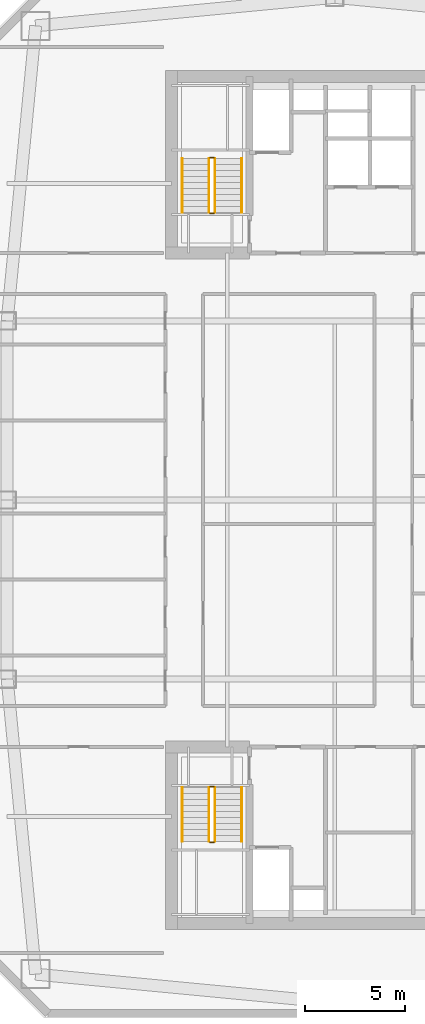
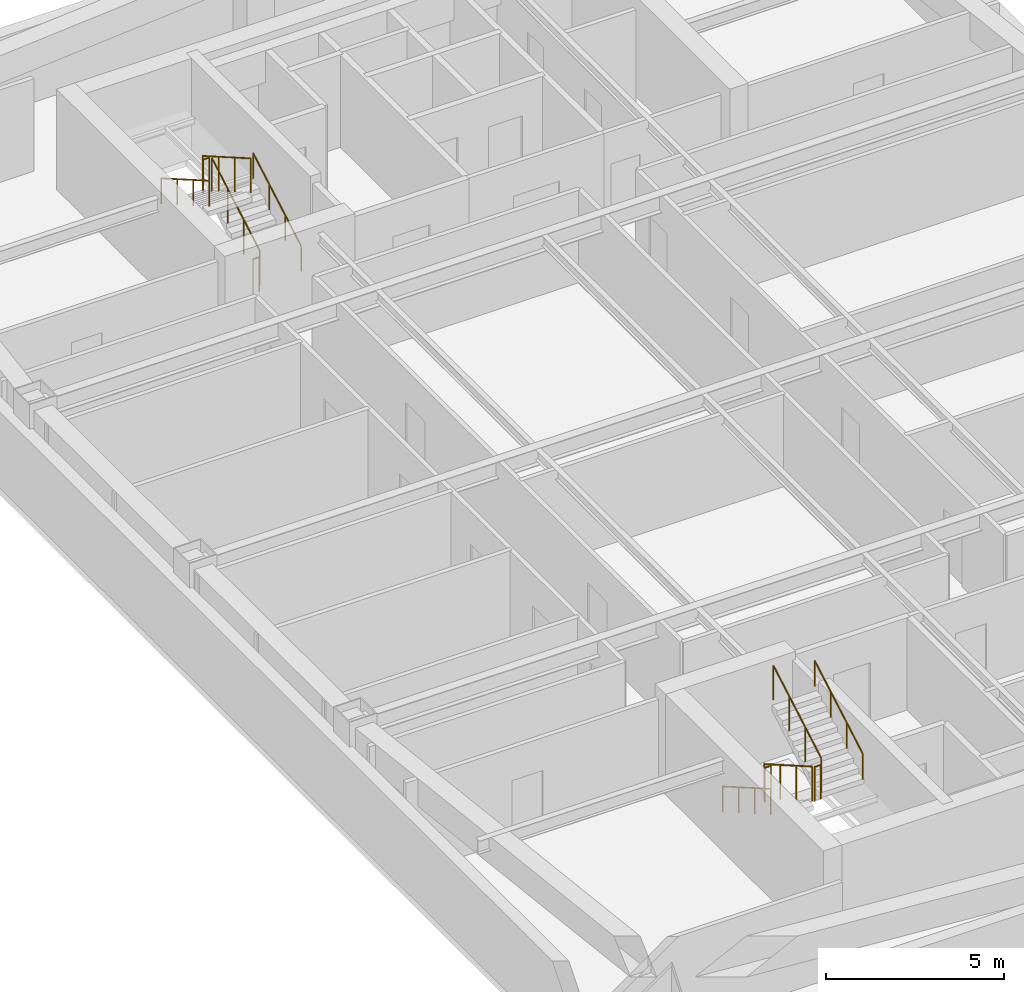
# One storey, part 12 of 13: 12 railings.
"""IFC4 building model written with IfcOpenShell, lengths in metres."""

from ifc_helpers import new_model, si_unit, direction, frame, origin, origin_2d, place, context, subcontext, project, spatial, circle, extrude, material, type_object, element, save


model = new_model("IFC4")

# Units and contexts
model_context = context("Model", 3, precision=1e-05, world=origin(), true_north=direction((0.0, 1.0)))
body_context = subcontext(model_context, "Body", "Model", "MODEL_VIEW")
ifc_project = project(units=[si_unit("LENGTHUNIT", "METRE"), si_unit("AREAUNIT", "SQUARE_METRE"), si_unit("VOLUMEUNIT", "CUBIC_METRE"), si_unit("PLANEANGLEUNIT", "RADIAN"), si_unit("MASSUNIT", "GRAM", prefix="KILO")], contexts=[model_context])

# Site, building, storey
site_placement = place(None, origin())
site = spatial("IfcSite", under=ifc_project, at=site_placement, CompositionType="ELEMENT")
building_placement = place(site_placement, origin())
building = spatial("IfcBuilding", under=site, at=building_placement, Name="Qiaolan Cultural Towers", CompositionType="ELEMENT")
storey_placement = place(building_placement, frame((0.0, 0.0, 170.199951171875)))
storey = spatial("IfcBuildingStorey", under=building, at=storey_placement, Name="L45", CompositionType="ELEMENT", Elevation=170.199951171875)

# Railings
ifc_material_1 = material(Name="Galvanized Painted Steel Stair Guardrail", Category="steel")
railing_type_1 = type_object("IfcRailingType", Name="RL-STAIR-GRD", PredefinedType="GUARDRAIL", material=ifc_material_1)
railing_1_placement = place(storey_placement, frame((23.68994140625, 19.550048828125, 0.172607421875)))
element("IfcRailing", 1, at=railing_1_placement, inside=storey, type_object=railing_type_1, Name="L45 ST-W1 stair guard 1", PredefinedType="GUARDRAIL", context=body_context, shape_type="SweptSolid", body=[
    extrude(circle(Radius=0.02392578125, at=origin_2d()), frame((0.0, 0.0, 1.17578125), z_axis=(0.0, -0.866903762492, 0.498475542607), x_axis=(1.0, 0.0, 0.0)), (0.0, 0.0, 1.0), 3.114501953125),
    extrude(circle(Radius=0.02099609375, at=origin_2d()), origin(), (0.0, 0.0, 1.0), 1.15185546875),
    extrude(circle(Radius=0.02099609375, at=origin_2d()), frame((0.0, -0.89990234375, 0.517578125)), (0.0, 0.0, 1.0), 1.15185546875),
    extrude(circle(Radius=0.02099609375, at=origin_2d()), frame((0.0, -1.800048828125, 1.034912109375)), (0.0, 0.0, 1.0), 1.15185546875),
    extrude(circle(Radius=0.02099609375, at=origin_2d()), frame((0.0, -2.699951171875, 1.552490234375)), (0.0, 0.0, 1.0), 1.15185546875),
])
railing_2_placement = place(storey_placement, frame((23.739990234375, 16.800048828125, 1.72509765625)))
element("IfcRailing", 2, at=railing_2_placement, inside=storey, type_object=railing_type_1, Name="L45 ST-W1 stair guard 2", PredefinedType="GUARDRAIL", context=body_context, shape_type="SweptSolid", body=[
    extrude(circle(Radius=0.02392578125, at=origin_2d()), frame((0.0, 0.0, 1.17578125), z_axis=(1.0, 0.0, 0.0), x_axis=(0.0, 1.0, 0.0)), (0.0, 0.0, 1.0), 0.199951171875),
    extrude(circle(Radius=0.02099609375, at=origin_2d()), origin(), (0.0, 0.0, 1.0), 1.15185546875),
    extrude(circle(Radius=0.02099609375, at=origin_2d()), frame((0.199951171875, 0.0, 0.0)), (0.0, 0.0, 1.0), 1.15185546875),
])
railing_3_placement = place(storey_placement, frame((23.989990234375, 16.85009765625, 1.8974609375)))
element("IfcRailing", 3, at=railing_3_placement, inside=storey, type_object=railing_type_1, Name="L45 ST-W1 stair guard 3", PredefinedType="GUARDRAIL", context=body_context, shape_type="SweptSolid", body=[
    extrude(circle(Radius=0.02392578125, at=origin_2d()), frame((0.0, 0.0, 1.17578125), z_axis=(0.0, 0.866903762492, 0.498475542607), x_axis=(-1.0, 0.0, 0.0)), (0.0, 0.0, 1.0), 3.114501953125),
    extrude(circle(Radius=0.02099609375, at=origin_2d()), origin(), (0.0, 0.0, 1.0), 1.15185546875),
    extrude(circle(Radius=0.02099609375, at=origin_2d()), frame((0.0, 0.89990234375, 0.517578125)), (0.0, 0.0, 1.0), 1.15185546875),
    extrude(circle(Radius=0.02099609375, at=origin_2d()), frame((0.0, 1.800048828125, 1.034912109375)), (0.0, 0.0, 1.0), 1.15185546875),
    extrude(circle(Radius=0.02099609375, at=origin_2d()), frame((0.0, 2.699951171875, 1.552490234375)), (0.0, 0.0, 1.0), 1.15185546875),
])
railing_4_placement = place(storey_placement, frame((23.739990234375, 19.60009765625, 0.0)))
element("IfcRailing", 4, at=railing_4_placement, inside=storey, type_object=railing_type_1, Name="L45 ST-W1 stair guard 4", PredefinedType="GUARDRAIL", context=body_context, shape_type="SweptSolid", body=[
    extrude(circle(Radius=0.02392578125, at=origin_2d()), frame((0.0, 0.0, 1.17578125), z_axis=(1.0, 0.0, 0.0), x_axis=(0.0, 1.0, 0.0)), (0.0, 0.0, 1.0), 0.199951171875),
    extrude(circle(Radius=0.02099609375, at=origin_2d()), origin(), (0.0, 0.0, 1.0), 1.15185546875),
    extrude(circle(Radius=0.02099609375, at=origin_2d()), frame((0.199951171875, 0.0, 0.0)), (0.0, 0.0, 1.0), 1.15185546875),
])
railing_5_placement = place(storey_placement, frame((23.989990234375, 48.449951171875, 0.172607421875)))
element("IfcRailing", 5, at=railing_5_placement, inside=storey, type_object=railing_type_1, Name="L45 ST-W2 stair guard 1", PredefinedType="GUARDRAIL", context=body_context, shape_type="SweptSolid", body=[
    extrude(circle(Radius=0.02392578125, at=origin_2d()), frame((0.0, 0.0, 1.17578125), z_axis=(0.0, 0.866903762492, 0.498475542607), x_axis=(-1.0, 0.0, 0.0)), (0.0, 0.0, 1.0), 3.114501953125),
    extrude(circle(Radius=0.02099609375, at=origin_2d()), origin(), (0.0, 0.0, 1.0), 1.15185546875),
    extrude(circle(Radius=0.02099609375, at=origin_2d()), frame((0.0, 0.89990234375, 0.517578125)), (0.0, 0.0, 1.0), 1.15185546875),
    extrude(circle(Radius=0.02099609375, at=origin_2d()), frame((0.0, 1.800048828125, 1.034912109375)), (0.0, 0.0, 1.0), 1.15185546875),
    extrude(circle(Radius=0.02099609375, at=origin_2d()), frame((0.0, 2.699951171875, 1.552490234375)), (0.0, 0.0, 1.0), 1.15185546875),
])
railing_6_placement = place(storey_placement, frame((23.93994140625, 51.199951171875, 1.72509765625)))
element("IfcRailing", 6, at=railing_6_placement, inside=storey, type_object=railing_type_1, Name="L45 ST-W2 stair guard 2", PredefinedType="GUARDRAIL", context=body_context, shape_type="SweptSolid", body=[
    extrude(circle(Radius=0.02392578125, at=origin_2d()), frame((0.0, 0.0, 1.17578125), z_axis=(-1.0, 0.0, 0.0), x_axis=(0.0, -1.0, 0.0)), (0.0, 0.0, 1.0), 0.199951171875),
    extrude(circle(Radius=0.02099609375, at=origin_2d()), origin(), (0.0, 0.0, 1.0), 1.15185546875),
    extrude(circle(Radius=0.02099609375, at=origin_2d()), frame((-0.199951171875, 0.0, 0.0)), (0.0, 0.0, 1.0), 1.15185546875),
])
railing_7_placement = place(storey_placement, frame((23.68994140625, 51.14990234375, 1.8974609375)))
element("IfcRailing", 7, at=railing_7_placement, inside=storey, type_object=railing_type_1, Name="L45 ST-W2 stair guard 3", PredefinedType="GUARDRAIL", context=body_context, shape_type="SweptSolid", body=[
    extrude(circle(Radius=0.02392578125, at=origin_2d()), frame((0.0, 0.0, 1.17578125), z_axis=(0.0, -0.866903762492, 0.498475542607), x_axis=(1.0, 0.0, 0.0)), (0.0, 0.0, 1.0), 3.114501953125),
    extrude(circle(Radius=0.02099609375, at=origin_2d()), origin(), (0.0, 0.0, 1.0), 1.15185546875),
    extrude(circle(Radius=0.02099609375, at=origin_2d()), frame((0.0, -0.89990234375, 0.517578125)), (0.0, 0.0, 1.0), 1.15185546875),
    extrude(circle(Radius=0.02099609375, at=origin_2d()), frame((0.0, -1.800048828125, 1.034912109375)), (0.0, 0.0, 1.0), 1.15185546875),
    extrude(circle(Radius=0.02099609375, at=origin_2d()), frame((0.0, -2.699951171875, 1.552490234375)), (0.0, 0.0, 1.0), 1.15185546875),
])
railing_8_placement = place(storey_placement, frame((23.93994140625, 48.39990234375, 0.0)))
element("IfcRailing", 8, at=railing_8_placement, inside=storey, type_object=railing_type_1, Name="L45 ST-W2 stair guard 4", PredefinedType="GUARDRAIL", context=body_context, shape_type="SweptSolid", body=[
    extrude(circle(Radius=0.02392578125, at=origin_2d()), frame((0.0, 0.0, 1.17578125), z_axis=(-1.0, 0.0, 0.0), x_axis=(0.0, -1.0, 0.0)), (0.0, 0.0, 1.0), 0.199951171875),
    extrude(circle(Radius=0.02099609375, at=origin_2d()), origin(), (0.0, 0.0, 1.0), 1.15185546875),
    extrude(circle(Radius=0.02099609375, at=origin_2d()), frame((-0.199951171875, 0.0, 0.0)), (0.0, 0.0, 1.0), 1.15185546875),
])
ifc_material_2 = material(Name="Stainless Steel S30408 Tubular Handrail", Category="steel")
railing_type_2 = type_object("IfcRailingType", Name="RL-STAIR-HR", PredefinedType="HANDRAIL", material=ifc_material_2)
railing_9_placement = place(storey_placement, frame((22.35009765625, 19.550048828125, 0.172607421875)))
element("IfcRailing", 9, at=railing_9_placement, inside=storey, type_object=railing_type_2, Name="L45 ST-W1 stair handrail 1", PredefinedType="HANDRAIL", context=body_context, shape_type="SweptSolid", body=[
    extrude(circle(Radius=0.02392578125, at=origin_2d()), frame((0.0, 0.0, 0.8759765625), z_axis=(0.0, -0.866903762492, 0.498475542607), x_axis=(1.0, 0.0, 0.0)), (0.0, 0.0, 1.0), 3.114501953125),
    extrude(circle(Radius=0.02099609375, at=origin_2d()), origin(), (0.0, 0.0, 1.0), 0.851806640625),
    extrude(circle(Radius=0.02099609375, at=origin_2d()), frame((0.0, -0.89990234375, 0.517578125)), (0.0, 0.0, 1.0), 0.851806640625),
    extrude(circle(Radius=0.02099609375, at=origin_2d()), frame((0.0, -1.800048828125, 1.034912109375)), (0.0, 0.0, 1.0), 0.851806640625),
    extrude(circle(Radius=0.02099609375, at=origin_2d()), frame((0.0, -2.699951171875, 1.552490234375)), (0.0, 0.0, 1.0), 0.851806640625),
])
for number, where, name in (
    (10, (25.330078125, 16.85009765625, 1.8974609375), "L45 ST-W1 stair handrail 2"),
    (11, (25.330078125, 48.449951171875, 0.172607421875), "L45 ST-W2 stair handrail 1"),
):
    element("IfcRailing", number, at=place(storey_placement, frame(where)), inside=storey, type_object=railing_type_2, Name=name, PredefinedType="HANDRAIL", context=body_context, shape_type="SweptSolid", body=[
        extrude(circle(Radius=0.02392578125, at=origin_2d()), frame((0.0, 0.0, 0.8759765625), z_axis=(0.0, 0.866903762492, 0.498475542607), x_axis=(-1.0, 0.0, 0.0)), (0.0, 0.0, 1.0), 3.114501953125),
        extrude(circle(Radius=0.02099609375, at=origin_2d()), origin(), (0.0, 0.0, 1.0), 0.851806640625),
        extrude(circle(Radius=0.02099609375, at=origin_2d()), frame((0.0, 0.89990234375, 0.517578125)), (0.0, 0.0, 1.0), 0.851806640625),
        extrude(circle(Radius=0.02099609375, at=origin_2d()), frame((0.0, 1.800048828125, 1.034912109375)), (0.0, 0.0, 1.0), 0.851806640625),
        extrude(circle(Radius=0.02099609375, at=origin_2d()), frame((0.0, 2.699951171875, 1.552490234375)), (0.0, 0.0, 1.0), 0.851806640625),
    ])
railing_10_placement = place(storey_placement, frame((22.35009765625, 51.14990234375, 1.8974609375)))
element("IfcRailing", 12, at=railing_10_placement, inside=storey, type_object=railing_type_2, Name="L45 ST-W2 stair handrail 2", PredefinedType="HANDRAIL", context=body_context, shape_type="SweptSolid", body=[
    extrude(circle(Radius=0.02392578125, at=origin_2d()), frame((0.0, 0.0, 0.8759765625), z_axis=(0.0, -0.866903762492, 0.498475542607), x_axis=(1.0, 0.0, 0.0)), (0.0, 0.0, 1.0), 3.114501953125),
    extrude(circle(Radius=0.02099609375, at=origin_2d()), origin(), (0.0, 0.0, 1.0), 0.851806640625),
    extrude(circle(Radius=0.02099609375, at=origin_2d()), frame((0.0, -0.89990234375, 0.517578125)), (0.0, 0.0, 1.0), 0.851806640625),
    extrude(circle(Radius=0.02099609375, at=origin_2d()), frame((0.0, -1.800048828125, 1.034912109375)), (0.0, 0.0, 1.0), 0.851806640625),
    extrude(circle(Radius=0.02099609375, at=origin_2d()), frame((0.0, -2.699951171875, 1.552490234375)), (0.0, 0.0, 1.0), 0.851806640625),
])

save(model, "model.ifc")
